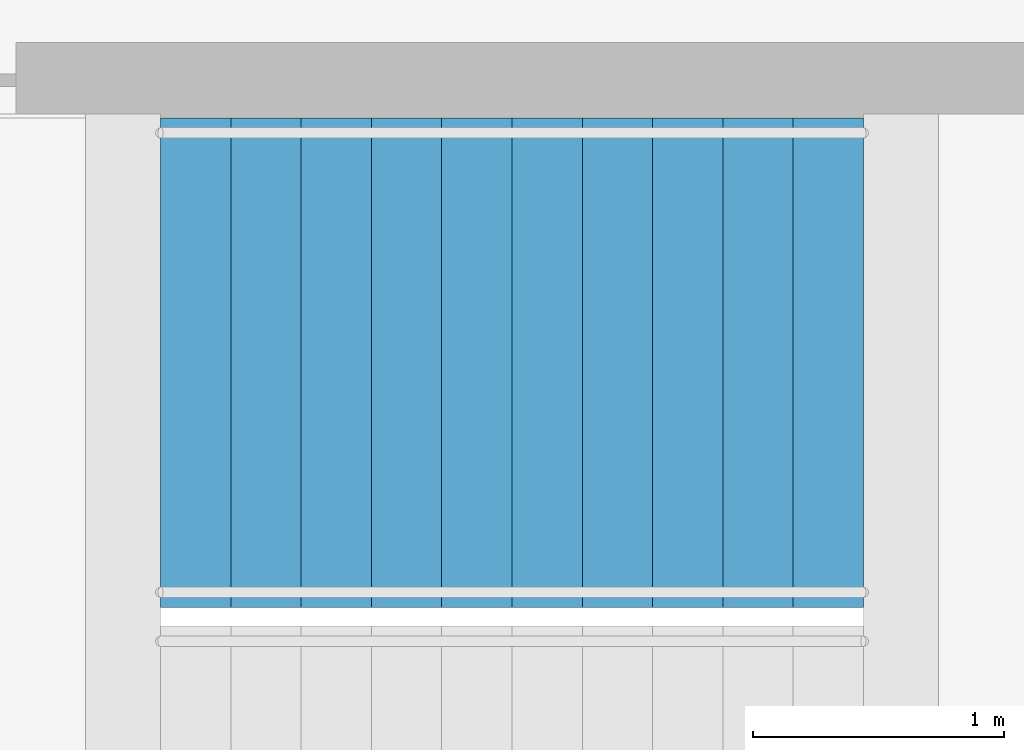
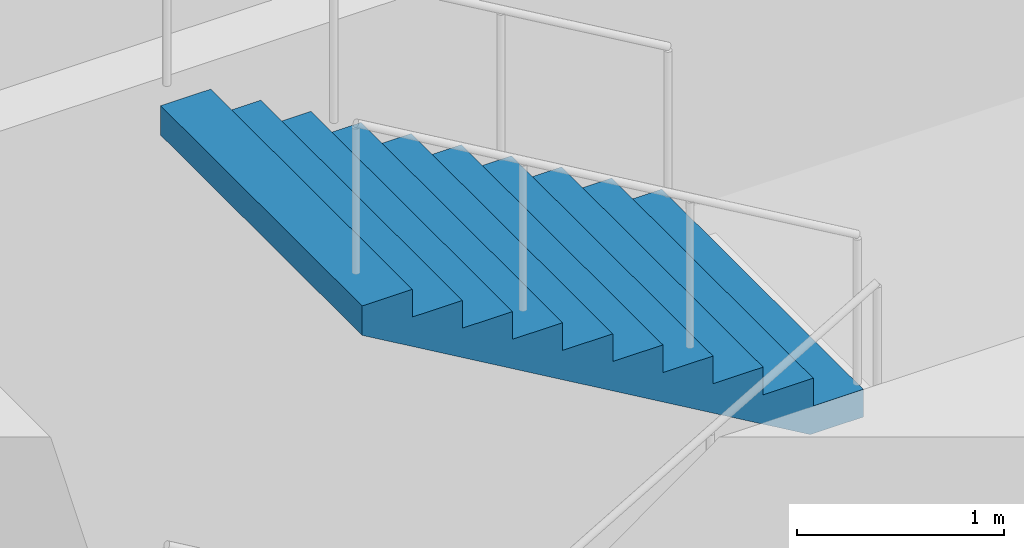
# One storey, part 17 of 22: 1 stair flight, 1 element without a shape of its own.
"""IFC4 building model written with IfcOpenShell, lengths in metres."""

from ifc_helpers import new_model, si_unit, direction, frame, origin, place, context, subcontext, project, spatial, triangles, material, type_object, element, aggregate, save


model = new_model("IFC4")

# Units and contexts
model_context = context("Model", 3, precision=1e-05, world=origin(), true_north=direction((0.0, 1.0)))
body_context = subcontext(model_context, "Body", "Model", "MODEL_VIEW")
ifc_project = project(units=[si_unit("LENGTHUNIT", "METRE"), si_unit("AREAUNIT", "SQUARE_METRE"), si_unit("VOLUMEUNIT", "CUBIC_METRE"), si_unit("PLANEANGLEUNIT", "RADIAN"), si_unit("MASSUNIT", "GRAM", prefix="KILO")], contexts=[model_context])

# Site, building, storey
site_placement = place(None, origin())
site = spatial("IfcSite", under=ifc_project, at=site_placement, CompositionType="ELEMENT")
building_placement = place(site_placement, origin())
building = spatial("IfcBuilding", under=site, at=building_placement, Name="Orbita Commons", CompositionType="ELEMENT")
storey_placement = place(building_placement, frame((0.0, 0.0, 133.14990234375)))
storey = spatial("IfcBuildingStorey", under=building, at=storey_placement, Name="L33", CompositionType="ELEMENT", Elevation=133.14990234375)

# Stair, stair flight
ifc_material_1 = material(Name="Precast concrete C40/50", Category="concrete")
stair_type = type_object("IfcStairType", Name="Exit stair S1 4 flights 11 risers 164", PredefinedType="HALF_TURN_STAIR", material=ifc_material_1)
stair_placement = place(storey_placement, origin())
stair = element("IfcStair", 1, at=stair_placement, inside=storey, type_object=stair_type, Name="Exit stair S1 L33", PredefinedType="HALF_TURN_STAIR")
ifc_material_2 = material(Name="Precast concrete C40/50", Category="concrete")
stair_flight_type = type_object("IfcStairFlightType", Name="Stair flight 11 risers 164 x 280", PredefinedType="STRAIGHT", material=ifc_material_2)
stair_flight_placement = place(storey_placement, frame((23.25, 29.27490234375, 5.400146484375), z_axis=(0.0, 0.0, 1.0), x_axis=(-1.0, 0.0, 0.0)))
stair_flight = element("IfcStairFlight", 2, at=stair_flight_placement, type_object=stair_flight_type, Name="S1 flight 4", NumberOfRisers=11, NumberOfTreads=10, PredefinedType="STRAIGHT", RiserHeight=0.163636364, TreadLength=0.28, context=body_context, shape_type="Tessellation", body=[
    triangles([(0.0, 0.974976, 0.0), (0.0, 0.974976, 0.020455), (0.0, 0.81248, 0.020455), (0.0, 0.81248, 0.0), (0.0, 0.649984, 0.020455), (0.0, 0.649984, 0.0), (0.0, 0.487488, 0.020455), (0.0, 0.487488, 0.0), (0.0, 0.324992, 0.020455), (0.0, 0.324992, 0.0), (0.0, 0.162496, 0.020455), (0.0, 0.162496, 0.0), (0.0, 0.0, 0.020455), (0.0, 0.0, 0.0), (0.0, -0.162496, 0.020455), (0.0, -0.162496, 0.0), (0.0, -0.324992, 0.020455), (0.0, -0.324992, 0.0), (0.0, -0.487488, 0.020455), (0.0, -0.487488, 0.0), (0.0, -0.649984, 0.020455), (0.0, -0.649984, 0.0), (0.0, -0.81248, 0.020455), (0.0, -0.81248, 0.0), (0.0, -0.974976, 0.020455), (0.0, -0.974976, 0.0), (0.0, 0.974976, 0.040909), (0.0, 0.81248, 0.040909), (0.0, 0.649984, 0.040909), (0.0, 0.487488, 0.040909), (0.0, 0.324992, 0.040909), (0.0, 0.162496, 0.040909), (0.0, 0.0, 0.040909), (0.0, -0.162496, 0.040909), (0.0, -0.324992, 0.040909), (0.0, -0.487488, 0.040909), (0.0, -0.649984, 0.040909), (0.0, -0.81248, 0.040909), (0.0, -0.974976, 0.040909), (0.0, 0.974976, 0.061364), (0.0, 0.81248, 0.061364), (0.0, 0.649984, 0.061364), (0.0, 0.487488, 0.061364), (0.0, 0.324992, 0.061364), (0.0, 0.162496, 0.061364), (0.0, 0.0, 0.061364), (0.0, -0.162496, 0.061364), (0.0, -0.324992, 0.061364), (0.0, -0.487488, 0.061364), (0.0, -0.649984, 0.061364), (0.0, -0.81248, 0.061364), (0.0, -0.974976, 0.061364), (0.0, 0.974976, 0.081818), (0.0, 0.81248, 0.081818), (0.0, 0.649984, 0.081818), (0.0, 0.487488, 0.081818), (0.0, 0.324992, 0.081818), (0.0, 0.162496, 0.081818), (0.0, 0.0, 0.081818), (0.0, -0.162496, 0.081818), (0.0, -0.324992, 0.081818), (0.0, -0.487488, 0.081818), (0.0, -0.649984, 0.081818), (0.0, -0.81248, 0.081818), (0.0, -0.974976, 0.081818), (0.0, 0.974976, 0.102273), (0.0, 0.81248, 0.102273), (0.0, 0.649984, 0.102273), (0.0, 0.487488, 0.102273), (0.0, 0.324992, 0.102273), (0.0, 0.162496, 0.102273), (0.0, 0.0, 0.102273), (0.0, -0.162496, 0.102273), (0.0, -0.324992, 0.102273), (0.0, -0.487488, 0.102273), (0.0, -0.649984, 0.102273), (0.0, -0.81248, 0.102273), (0.0, -0.974976, 0.102273), (0.0, 0.974976, 0.122727), (0.0, 0.81248, 0.122727), (0.0, 0.649984, 0.122727), (0.0, 0.487488, 0.122727), (0.0, 0.324992, 0.122727), (0.0, 0.162496, 0.122727), (0.0, 0.0, 0.122727), (0.0, -0.162496, 0.122727), (0.0, -0.324992, 0.122727), (0.0, -0.487488, 0.122727), (0.0, -0.649984, 0.122727), (0.0, -0.81248, 0.122727), (0.0, -0.974976, 0.122727), (0.0, 0.974976, 0.143182), (0.0, 0.81248, 0.143182), (0.0, 0.649984, 0.143182), (0.0, 0.487488, 0.143182), (0.0, 0.324992, 0.143182), (0.0, 0.162496, 0.143182), (0.0, 0.0, 0.143182), (0.0, -0.162496, 0.143182), (0.0, -0.324992, 0.143182), (0.0, -0.487488, 0.143182), (0.0, -0.649984, 0.143182), (0.0, -0.81248, 0.143182), (0.0, -0.974976, 0.143182), (0.0, 0.974976, 0.163636), (0.0, 0.81248, 0.163636), (0.0, 0.649984, 0.163636), (0.0, 0.487488, 0.163636), (0.0, 0.324992, 0.163636), (0.0, 0.162496, 0.163636), (0.0, 0.0, 0.163636), (0.0, -0.162496, 0.163636), (0.0, -0.324992, 0.163636), (0.0, -0.487488, 0.163636), (0.0, -0.649984, 0.163636), (0.0, -0.81248, 0.163636), (0.0, -0.974976, 0.163636), (0.28, 0.974976, 0.163636), (0.28, 0.81248, 0.163636), (0.28, 0.649984, 0.163636), (0.28, 0.487488, 0.163636), (0.28, 0.324992, 0.163636), (0.28, 0.162496, 0.163636), (0.28, 0.0, 0.163636), (0.28, -0.162496, 0.163636), (0.28, -0.324992, 0.163636), (0.28, -0.487488, 0.163636), (0.28, -0.649984, 0.163636), (0.28, -0.81248, 0.163636), (0.28, -0.974976, 0.163636), (0.28, 0.974976, 0.327273), (0.28, 0.81248, 0.327273), (0.28, 0.649984, 0.327273), (0.28, 0.487488, 0.327273), (0.28, 0.324992, 0.327273), (0.28, 0.162496, 0.327273), (0.28, 0.0, 0.327273), (0.28, -0.162496, 0.327273), (0.28, -0.324992, 0.327273), (0.28, -0.487488, 0.327273), (0.28, -0.649984, 0.327273), (0.28, -0.81248, 0.327273), (0.28, -0.974976, 0.327273), (0.56, 0.974976, 0.327273), (0.56, 0.81248, 0.327273), (0.56, 0.649984, 0.327273), (0.56, 0.487488, 0.327273), (0.56, 0.324992, 0.327273), (0.56, 0.162496, 0.327273), (0.56, 0.0, 0.327273), (0.56, -0.162496, 0.327273), (0.56, -0.324992, 0.327273), (0.56, -0.487488, 0.327273), (0.56, -0.649984, 0.327273), (0.56, -0.81248, 0.327273), (0.56, -0.974976, 0.327273), (0.56, 0.974976, 0.490909), (0.56, 0.81248, 0.490909), (0.56, 0.649984, 0.490909), (0.56, 0.487488, 0.490909), (0.56, 0.324992, 0.490909), (0.56, 0.162496, 0.490909), (0.56, 0.0, 0.490909), (0.56, -0.162496, 0.490909), (0.56, -0.324992, 0.490909), (0.56, -0.487488, 0.490909), (0.56, -0.649984, 0.490909), (0.56, -0.81248, 0.490909), (0.56, -0.974976, 0.490909), (0.84, 0.974976, 0.490909), (0.84, 0.81248, 0.490909), (0.84, 0.649984, 0.490909), (0.84, 0.487488, 0.490909), (0.84, 0.324992, 0.490909), (0.84, 0.162496, 0.490909), (0.84, 0.0, 0.490909), (0.84, -0.162496, 0.490909), (0.84, -0.324992, 0.490909), (0.84, -0.487488, 0.490909), (0.84, -0.649984, 0.490909), (0.84, -0.81248, 0.490909), (0.84, -0.974976, 0.490909), (0.84, 0.974976, 0.654545), (0.84, 0.81248, 0.654545), (0.84, 0.649984, 0.654545), (0.84, 0.487488, 0.654545), (0.84, 0.324992, 0.654545), (0.84, 0.162496, 0.654545), (0.84, 0.0, 0.654545), (0.84, -0.162496, 0.654545), (0.84, -0.324992, 0.654545), (0.84, -0.487488, 0.654545), (0.84, -0.649984, 0.654545), (0.84, -0.81248, 0.654545), (0.84, -0.974976, 0.654545), (1.12, 0.974976, 0.654545), (1.12, 0.81248, 0.654545), (1.12, 0.649984, 0.654545), (1.12, 0.487488, 0.654545), (1.12, 0.324992, 0.654545), (1.12, 0.162496, 0.654545), (1.12, 0.0, 0.654545), (1.12, -0.162496, 0.654545), (1.12, -0.324992, 0.654545), (1.12, -0.487488, 0.654545), (1.12, -0.649984, 0.654545), (1.12, -0.81248, 0.654545), (1.12, -0.974976, 0.654545), (1.12, 0.974976, 0.818182), (1.12, 0.81248, 0.818182), (1.12, 0.649984, 0.818182), (1.12, 0.487488, 0.818182), (1.12, 0.324992, 0.818182), (1.12, 0.162496, 0.818182), (1.12, 0.0, 0.818182), (1.12, -0.162496, 0.818182), (1.12, -0.324992, 0.818182), (1.12, -0.487488, 0.818182), (1.12, -0.649984, 0.818182), (1.12, -0.81248, 0.818182), (1.12, -0.974976, 0.818182), (1.4, 0.974976, 0.818182), (1.4, 0.81248, 0.818182), (1.4, 0.649984, 0.818182), (1.4, 0.487488, 0.818182), (1.4, 0.324992, 0.818182), (1.4, 0.162496, 0.818182), (1.4, 0.0, 0.818182), (1.4, -0.162496, 0.818182), (1.4, -0.324992, 0.818182), (1.4, -0.487488, 0.818182), (1.4, -0.649984, 0.818182), (1.4, -0.81248, 0.818182), (1.4, -0.974976, 0.818182), (1.4, 0.974976, 0.981818), (1.4, 0.81248, 0.981818), (1.4, 0.649984, 0.981818), (1.4, 0.487488, 0.981818), (1.4, 0.324992, 0.981818), (1.4, 0.162496, 0.981818), (1.4, 0.0, 0.981818), (1.4, -0.162496, 0.981818), (1.4, -0.324992, 0.981818), (1.4, -0.487488, 0.981818), (1.4, -0.649984, 0.981818), (1.4, -0.81248, 0.981818), (1.4, -0.974976, 0.981818), (1.68, 0.974976, 0.981818), (1.68, 0.81248, 0.981818), (1.68, 0.649984, 0.981818), (1.68, 0.487488, 0.981818), (1.68, 0.324992, 0.981818), (1.68, 0.162496, 0.981818), (1.68, 0.0, 0.981818), (1.68, -0.162496, 0.981818), (1.68, -0.324992, 0.981818), (1.68, -0.487488, 0.981818), (1.68, -0.649984, 0.981818), (1.68, -0.81248, 0.981818), (1.68, -0.974976, 0.981818), (1.68, 0.974976, 1.145455), (1.68, 0.81248, 1.145455), (1.68, 0.649984, 1.145455), (1.68, 0.487488, 1.145455), (1.68, 0.324992, 1.145455), (1.68, 0.162496, 1.145455), (1.68, 0.0, 1.145455), (1.68, -0.162496, 1.145455), (1.68, -0.324992, 1.145455), (1.68, -0.487488, 1.145455), (1.68, -0.649984, 1.145455), (1.68, -0.81248, 1.145455), (1.68, -0.974976, 1.145455), (1.96, 0.974976, 1.145455), (1.96, 0.81248, 1.145455), (1.96, 0.649984, 1.145455), (1.96, 0.487488, 1.145455), (1.96, 0.324992, 1.145455), (1.96, 0.162496, 1.145455), (1.96, 0.0, 1.145455), (1.96, -0.162496, 1.145455), (1.96, -0.324992, 1.145455), (1.96, -0.487488, 1.145455), (1.96, -0.649984, 1.145455), (1.96, -0.81248, 1.145455), (1.96, -0.974976, 1.145455), (1.96, 0.974976, 1.309091), (1.96, 0.81248, 1.309091), (1.96, 0.649984, 1.309091), (1.96, 0.487488, 1.309091), (1.96, 0.324992, 1.309091), (1.96, 0.162496, 1.309091), (1.96, 0.0, 1.309091), (1.96, -0.162496, 1.309091), (1.96, -0.324992, 1.309091), (1.96, -0.487488, 1.309091), (1.96, -0.649984, 1.309091), (1.96, -0.81248, 1.309091), (1.96, -0.974976, 1.309091), (2.24, 0.974976, 1.309091), (2.24, 0.81248, 1.309091), (2.24, 0.649984, 1.309091), (2.24, 0.487488, 1.309091), (2.24, 0.324992, 1.309091), (2.24, 0.162496, 1.309091), (2.24, 0.0, 1.309091), (2.24, -0.162496, 1.309091), (2.24, -0.324992, 1.309091), (2.24, -0.487488, 1.309091), (2.24, -0.649984, 1.309091), (2.24, -0.81248, 1.309091), (2.24, -0.974976, 1.309091), (2.24, 0.974976, 1.472727), (2.24, 0.81248, 1.472727), (2.24, 0.649984, 1.472727), (2.24, 0.487488, 1.472727), (2.24, 0.324992, 1.472727), (2.24, 0.162496, 1.472727), (2.24, 0.0, 1.472727), (2.24, -0.162496, 1.472727), (2.24, -0.324992, 1.472727), (2.24, -0.487488, 1.472727), (2.24, -0.649984, 1.472727), (2.24, -0.81248, 1.472727), (2.24, -0.974976, 1.472727), (2.52, 0.974976, 1.472727), (2.52, 0.81248, 1.472727), (2.52, 0.649984, 1.472727), (2.52, 0.487488, 1.472727), (2.52, 0.324992, 1.472727), (2.52, 0.162496, 1.472727), (2.52, 0.0, 1.472727), (2.52, -0.162496, 1.472727), (2.52, -0.324992, 1.472727), (2.52, -0.487488, 1.472727), (2.52, -0.649984, 1.472727), (2.52, -0.81248, 1.472727), (2.52, -0.974976, 1.472727), (2.52, 0.974976, 1.636364), (2.52, 0.81248, 1.636364), (2.52, 0.649984, 1.636364), (2.52, 0.487488, 1.636364), (2.52, 0.324992, 1.636364), (2.52, 0.162496, 1.636364), (2.52, 0.0, 1.636364), (2.52, -0.162496, 1.636364), (2.52, -0.324992, 1.636364), (2.52, -0.487488, 1.636364), (2.52, -0.649984, 1.636364), (2.52, -0.81248, 1.636364), (2.52, -0.974976, 1.636364), (2.8, 0.974976, 1.636364), (2.8, 0.81248, 1.636364), (2.8, 0.649984, 1.636364), (2.8, 0.487488, 1.636364), (2.8, 0.324992, 1.636364), (2.8, 0.162496, 1.636364), (2.8, 0.0, 1.636364), (2.8, -0.162496, 1.636364), (2.8, -0.324992, 1.636364), (2.8, -0.487488, 1.636364), (2.8, -0.649984, 1.636364), (2.8, -0.81248, 1.636364), (2.8, -0.974976, 1.636364), (2.8, 0.974976, 1.614661), (2.8, 0.81248, 1.614661), (2.8, 0.649984, 1.614661), (2.8, 0.487488, 1.614661), (2.8, 0.324992, 1.614661), (2.8, 0.162496, 1.614661), (2.8, 0.0, 1.614661), (2.8, -0.162496, 1.614661), (2.8, -0.324992, 1.614661), (2.8, -0.487488, 1.614661), (2.8, -0.649984, 1.614661), (2.8, -0.81248, 1.614661), (2.8, -0.974976, 1.614661), (2.8, 0.974976, 1.592958), (2.8, 0.81248, 1.592958), (2.8, 0.649984, 1.592958), (2.8, 0.487488, 1.592958), (2.8, 0.324992, 1.592958), (2.8, 0.162496, 1.592958), (2.8, 0.0, 1.592958), (2.8, -0.162496, 1.592958), (2.8, -0.324992, 1.592958), (2.8, -0.487488, 1.592958), (2.8, -0.649984, 1.592958), (2.8, -0.81248, 1.592958), (2.8, -0.974976, 1.592958), (2.8, 0.974976, 1.571255), (2.8, 0.81248, 1.571255), (2.8, 0.649984, 1.571255), (2.8, 0.487488, 1.571255), (2.8, 0.324992, 1.571255), (2.8, 0.162496, 1.571255), (2.8, 0.0, 1.571255), (2.8, -0.162496, 1.571255), (2.8, -0.324992, 1.571255), (2.8, -0.487488, 1.571255), (2.8, -0.649984, 1.571255), (2.8, -0.81248, 1.571255), (2.8, -0.974976, 1.571255), (2.8, 0.974976, 1.549551), (2.8, 0.81248, 1.549551), (2.8, 0.649984, 1.549551), (2.8, 0.487488, 1.549551), (2.8, 0.324992, 1.549551), (2.8, 0.162496, 1.549551), (2.8, 0.0, 1.549551), (2.8, -0.162496, 1.549551), (2.8, -0.324992, 1.549551), (2.8, -0.487488, 1.549551), (2.8, -0.649984, 1.549551), (2.8, -0.81248, 1.549551), (2.8, -0.974976, 1.549551), (2.8, 0.974976, 1.527848), (2.8, 0.81248, 1.527848), (2.8, 0.649984, 1.527848), (2.8, 0.487488, 1.527848), (2.8, 0.324992, 1.527848), (2.8, 0.162496, 1.527848), (2.8, 0.0, 1.527848), (2.8, -0.162496, 1.527848), (2.8, -0.324992, 1.527848), (2.8, -0.487488, 1.527848), (2.8, -0.649984, 1.527848), (2.8, -0.81248, 1.527848), (2.8, -0.974976, 1.527848), (2.8, 0.974976, 1.506145), (2.8, 0.81248, 1.506145), (2.8, 0.649984, 1.506145), (2.8, 0.487488, 1.506145), (2.8, 0.324992, 1.506145), (2.8, 0.162496, 1.506145), (2.8, 0.0, 1.506145), (2.8, -0.162496, 1.506145), (2.8, -0.324992, 1.506145), (2.8, -0.487488, 1.506145), (2.8, -0.649984, 1.506145), (2.8, -0.81248, 1.506145), (2.8, -0.974976, 1.506145), (2.8, 0.974976, 1.484442), (2.8, 0.81248, 1.484442), (2.8, 0.649984, 1.484442), (2.8, 0.487488, 1.484442), (2.8, 0.324992, 1.484442), (2.8, 0.162496, 1.484442), (2.8, 0.0, 1.484442), (2.8, -0.162496, 1.484442), (2.8, -0.324992, 1.484442), (2.8, -0.487488, 1.484442), (2.8, -0.649984, 1.484442), (2.8, -0.81248, 1.484442), (2.8, -0.974976, 1.484442), (2.8, 0.974976, 1.462739), (2.8, 0.81248, 1.462739), (2.8, 0.649984, 1.462739), (2.8, 0.487488, 1.462739), (2.8, 0.324992, 1.462739), (2.8, 0.162496, 1.462739), (2.8, 0.0, 1.462739), (2.8, -0.162496, 1.462739), (2.8, -0.324992, 1.462739), (2.8, -0.487488, 1.462739), (2.8, -0.649984, 1.462739), (2.8, -0.81248, 1.462739), (2.8, -0.974976, 1.462739), (0.29709, 0.974976, 0.0), (0.29709, 0.81248, 0.0), (0.29709, 0.649984, 0.0), (0.29709, 0.487488, 0.0), (0.29709, 0.324992, 0.0), (0.29709, 0.162496, 0.0), (0.29709, 0.0, 0.0), (0.29709, -0.162496, 0.0), (0.29709, -0.324992, 0.0), (0.29709, -0.487488, 0.0), (0.29709, -0.649984, 0.0), (0.29709, -0.81248, 0.0), (0.29709, -0.974976, 0.0)], [[3, 2, 1], [4, 3, 1], [5, 3, 4], [6, 5, 4], [7, 5, 6], [8, 7, 6], [9, 7, 8], [10, 9, 8], [11, 9, 10], [12, 11, 10], [13, 11, 12], [14, 13, 12], [15, 13, 14], [16, 15, 14], [17, 15, 16], [18, 17, 16], [19, 17, 18], [20, 19, 18], [21, 19, 20], [22, 21, 20], [23, 21, 22], [24, 23, 22], [25, 23, 24], [26, 25, 24], [28, 27, 2], [3, 28, 2], [29, 28, 3], [5, 29, 3], [30, 29, 5], [7, 30, 5], [31, 30, 7], [9, 31, 7], [32, 31, 9], [11, 32, 9], [33, 32, 11], [13, 33, 11], [34, 33, 13], [15, 34, 13], [35, 34, 15], [17, 35, 15], [36, 35, 17], [19, 36, 17], [37, 36, 19], [21, 37, 19], [38, 37, 21], [23, 38, 21], [39, 38, 23], [25, 39, 23], [41, 40, 27], [28, 41, 27], [42, 41, 28], [29, 42, 28], [43, 42, 29], [30, 43, 29], [44, 43, 30], [31, 44, 30], [45, 44, 31], [32, 45, 31], [46, 45, 32], [33, 46, 32], [47, 46, 33], [34, 47, 33], [48, 47, 34], [35, 48, 34], [49, 48, 35], [36, 49, 35], [50, 49, 36], [37, 50, 36], [51, 50, 37], [38, 51, 37], [52, 51, 38], [39, 52, 38], [54, 53, 40], [41, 54, 40], [55, 54, 41], [42, 55, 41], [56, 55, 42], [43, 56, 42], [57, 56, 43], [44, 57, 43], [58, 57, 44], [45, 58, 44], [59, 58, 45], [46, 59, 45], [60, 59, 46], [47, 60, 46], [61, 60, 47], [48, 61, 47], [62, 61, 48], [49, 62, 48], [63, 62, 49], [50, 63, 49], [64, 63, 50], [51, 64, 50], [65, 64, 51], [52, 65, 51], [67, 66, 53], [54, 67, 53], [68, 67, 54], [55, 68, 54], [69, 68, 55], [56, 69, 55], [70, 69, 56], [57, 70, 56], [71, 70, 57], [58, 71, 57], [72, 71, 58], [59, 72, 58], [73, 72, 59], [60, 73, 59], [74, 73, 60], [61, 74, 60], [75, 74, 61], [62, 75, 61], [76, 75, 62], [63, 76, 62], [77, 76, 63], [64, 77, 63], [78, 77, 64], [65, 78, 64], [80, 79, 66], [67, 80, 66], [81, 80, 67], [68, 81, 67], [82, 81, 68], [69, 82, 68], [83, 82, 69], [70, 83, 69], [84, 83, 70], [71, 84, 70], [85, 84, 71], [72, 85, 71], [86, 85, 72], [73, 86, 72], [87, 86, 73], [74, 87, 73], [88, 87, 74], [75, 88, 74], [89, 88, 75], [76, 89, 75], [90, 89, 76], [77, 90, 76], [91, 90, 77], [78, 91, 77], [93, 92, 79], [80, 93, 79], [94, 93, 80], [81, 94, 80], [95, 94, 81], [82, 95, 81], [96, 95, 82], [83, 96, 82], [97, 96, 83], [84, 97, 83], [98, 97, 84], [85, 98, 84], [99, 98, 85], [86, 99, 85], [100, 99, 86], [87, 100, 86], [101, 100, 87], [88, 101, 87], [102, 101, 88], [89, 102, 88], [103, 102, 89], [90, 103, 89], [104, 103, 90], [91, 104, 90], [106, 105, 92], [93, 106, 92], [107, 106, 93], [94, 107, 93], [108, 107, 94], [95, 108, 94], [109, 108, 95], [96, 109, 95], [110, 109, 96], [97, 110, 96], [111, 110, 97], [98, 111, 97], [112, 111, 98], [99, 112, 98], [113, 112, 99], [100, 113, 99], [114, 113, 100], [101, 114, 100], [115, 114, 101], [102, 115, 101], [116, 115, 102], [103, 116, 102], [117, 116, 103], [104, 117, 103], [119, 118, 105], [106, 119, 105], [120, 119, 106], [107, 120, 106], [121, 120, 107], [108, 121, 107], [122, 121, 108], [109, 122, 108], [123, 122, 109], [110, 123, 109], [124, 123, 110], [111, 124, 110], [125, 124, 111], [112, 125, 111], [126, 125, 112], [113, 126, 112], [127, 126, 113], [114, 127, 113], [128, 127, 114], [115, 128, 114], [129, 128, 115], [116, 129, 115], [130, 129, 116], [117, 130, 116], [132, 131, 118], [119, 132, 118], [133, 132, 119], [120, 133, 119], [134, 133, 120], [121, 134, 120], [135, 134, 121], [122, 135, 121], [136, 135, 122], [123, 136, 122], [137, 136, 123], [124, 137, 123], [138, 137, 124], [125, 138, 124], [139, 138, 125], [126, 139, 125], [140, 139, 126], [127, 140, 126], [141, 140, 127], [128, 141, 127], [142, 141, 128], [129, 142, 128], [143, 142, 129], [130, 143, 129], [145, 144, 131], [132, 145, 131], [146, 145, 132], [133, 146, 132], [147, 146, 133], [134, 147, 133], [148, 147, 134], [135, 148, 134], [149, 148, 135], [136, 149, 135], [150, 149, 136], [137, 150, 136], [151, 150, 137], [138, 151, 137], [152, 151, 138], [139, 152, 138], [153, 152, 139], [140, 153, 139], [154, 153, 140], [141, 154, 140], [155, 154, 141], [142, 155, 141], [156, 155, 142], [143, 156, 142], [158, 157, 144], [145, 158, 144], [159, 158, 145], [146, 159, 145], [160, 159, 146], [147, 160, 146], [161, 160, 147], [148, 161, 147], [162, 161, 148], [149, 162, 148], [163, 162, 149], [150, 163, 149], [164, 163, 150], [151, 164, 150], [165, 164, 151], [152, 165, 151], [166, 165, 152], [153, 166, 152], [167, 166, 153], [154, 167, 153], [168, 167, 154], [155, 168, 154], [169, 168, 155], [156, 169, 155], [171, 170, 157], [158, 171, 157], [172, 171, 158], [159, 172, 158], [173, 172, 159], [160, 173, 159], [174, 173, 160], [161, 174, 160], [175, 174, 161], [162, 175, 161], [176, 175, 162], [163, 176, 162], [177, 176, 163], [164, 177, 163], [178, 177, 164], [165, 178, 164], [179, 178, 165], [166, 179, 165], [180, 179, 166], [167, 180, 166], [181, 180, 167], [168, 181, 167], [182, 181, 168], [169, 182, 168], [184, 183, 170], [171, 184, 170], [185, 184, 171], [172, 185, 171], [186, 185, 172], [173, 186, 172], [187, 186, 173], [174, 187, 173], [188, 187, 174], [175, 188, 174], [189, 188, 175], [176, 189, 175], [190, 189, 176], [177, 190, 176], [191, 190, 177], [178, 191, 177], [192, 191, 178], [179, 192, 178], [193, 192, 179], [180, 193, 179], [194, 193, 180], [181, 194, 180], [195, 194, 181], [182, 195, 181], [197, 196, 183], [184, 197, 183], [198, 197, 184], [185, 198, 184], [199, 198, 185], [186, 199, 185], [200, 199, 186], [187, 200, 186], [201, 200, 187], [188, 201, 187], [202, 201, 188], [189, 202, 188], [203, 202, 189], [190, 203, 189], [204, 203, 190], [191, 204, 190], [205, 204, 191], [192, 205, 191], [206, 205, 192], [193, 206, 192], [207, 206, 193], [194, 207, 193], [208, 207, 194], [195, 208, 194], [210, 209, 196], [197, 210, 196], [211, 210, 197], [198, 211, 197], [212, 211, 198], [199, 212, 198], [213, 212, 199], [200, 213, 199], [214, 213, 200], [201, 214, 200], [215, 214, 201], [202, 215, 201], [216, 215, 202], [203, 216, 202], [217, 216, 203], [204, 217, 203], [218, 217, 204], [205, 218, 204], [219, 218, 205], [206, 219, 205], [220, 219, 206], [207, 220, 206], [221, 220, 207], [208, 221, 207], [223, 222, 209], [210, 223, 209], [224, 223, 210], [211, 224, 210], [225, 224, 211], [212, 225, 211], [226, 225, 212], [213, 226, 212], [227, 226, 213], [214, 227, 213], [228, 227, 214], [215, 228, 214], [229, 228, 215], [216, 229, 215], [230, 229, 216], [217, 230, 216], [231, 230, 217], [218, 231, 217], [232, 231, 218], [219, 232, 218], [233, 232, 219], [220, 233, 219], [234, 233, 220], [221, 234, 220], [236, 235, 222], [223, 236, 222], [237, 236, 223], [224, 237, 223], [238, 237, 224], [225, 238, 224], [239, 238, 225], [226, 239, 225], [240, 239, 226], [227, 240, 226], [241, 240, 227], [228, 241, 227], [242, 241, 228], [229, 242, 228], [243, 242, 229], [230, 243, 229], [244, 243, 230], [231, 244, 230], [245, 244, 231], [232, 245, 231], [246, 245, 232], [233, 246, 232], [247, 246, 233], [234, 247, 233], [249, 248, 235], [236, 249, 235], [250, 249, 236], [237, 250, 236], [251, 250, 237], [238, 251, 237], [252, 251, 238], [239, 252, 238], [253, 252, 239], [240, 253, 239], [254, 253, 240], [241, 254, 240], [255, 254, 241], [242, 255, 241], [256, 255, 242], [243, 256, 242], [257, 256, 243], [244, 257, 243], [258, 257, 244], [245, 258, 244], [259, 258, 245], [246, 259, 245], [260, 259, 246], [247, 260, 246], [262, 261, 248], [249, 262, 248], [263, 262, 249], [250, 263, 249], [264, 263, 250], [251, 264, 250], [265, 264, 251], [252, 265, 251], [266, 265, 252], [253, 266, 252], [267, 266, 253], [254, 267, 253], [268, 267, 254], [255, 268, 254], [269, 268, 255], [256, 269, 255], [270, 269, 256], [257, 270, 256], [271, 270, 257], [258, 271, 257], [272, 271, 258], [259, 272, 258], [273, 272, 259], [260, 273, 259], [275, 274, 261], [262, 275, 261], [276, 275, 262], [263, 276, 262], [277, 276, 263], [264, 277, 263], [278, 277, 264], [265, 278, 264], [279, 278, 265], [266, 279, 265], [280, 279, 266], [267, 280, 266], [281, 280, 267], [268, 281, 267], [282, 281, 268], [269, 282, 268], [283, 282, 269], [270, 283, 269], [284, 283, 270], [271, 284, 270], [285, 284, 271], [272, 285, 271], [286, 285, 272], [273, 286, 272], [288, 287, 274], [275, 288, 274], [289, 288, 275], [276, 289, 275], [290, 289, 276], [277, 290, 276], [291, 290, 277], [278, 291, 277], [292, 291, 278], [279, 292, 278], [293, 292, 279], [280, 293, 279], [294, 293, 280], [281, 294, 280], [295, 294, 281], [282, 295, 281], [296, 295, 282], [283, 296, 282], [297, 296, 283], [284, 297, 283], [298, 297, 284], [285, 298, 284], [299, 298, 285], [286, 299, 285], [301, 300, 287], [288, 301, 287], [302, 301, 288], [289, 302, 288], [303, 302, 289], [290, 303, 289], [304, 303, 290], [291, 304, 290], [305, 304, 291], [292, 305, 291], [306, 305, 292], [293, 306, 292], [307, 306, 293], [294, 307, 293], [308, 307, 294], [295, 308, 294], [309, 308, 295], [296, 309, 295], [310, 309, 296], [297, 310, 296], [311, 310, 297], [298, 311, 297], [312, 311, 298], [299, 312, 298], [314, 313, 300], [301, 314, 300], [315, 314, 301], [302, 315, 301], [316, 315, 302], [303, 316, 302], [317, 316, 303], [304, 317, 303], [318, 317, 304], [305, 318, 304], [319, 318, 305], [306, 319, 305], [320, 319, 306], [307, 320, 306], [321, 320, 307], [308, 321, 307], [322, 321, 308], [309, 322, 308], [323, 322, 309], [310, 323, 309], [324, 323, 310], [311, 324, 310], [325, 324, 311], [312, 325, 311], [327, 326, 313], [314, 327, 313], [328, 327, 314], [315, 328, 314], [329, 328, 315], [316, 329, 315], [330, 329, 316], [317, 330, 316], [331, 330, 317], [318, 331, 317], [332, 331, 318], [319, 332, 318], [333, 332, 319], [320, 333, 319], [334, 333, 320], [321, 334, 320], [335, 334, 321], [322, 335, 321], [336, 335, 322], [323, 336, 322], [337, 336, 323], [324, 337, 323], [338, 337, 324], [325, 338, 324], [340, 339, 326], [327, 340, 326], [341, 340, 327], [328, 341, 327], [342, 341, 328], [329, 342, 328], [343, 342, 329], [330, 343, 329], [344, 343, 330], [331, 344, 330], [345, 344, 331], [332, 345, 331], [346, 345, 332], [333, 346, 332], [347, 346, 333], [334, 347, 333], [348, 347, 334], [335, 348, 334], [349, 348, 335], [336, 349, 335], [350, 349, 336], [337, 350, 336], [351, 350, 337], [338, 351, 337], [353, 352, 339], [340, 353, 339], [354, 353, 340], [341, 354, 340], [355, 354, 341], [342, 355, 341], [356, 355, 342], [343, 356, 342], [357, 356, 343], [344, 357, 343], [358, 357, 344], [345, 358, 344], [359, 358, 345], [346, 359, 345], [360, 359, 346], [347, 360, 346], [361, 360, 347], [348, 361, 347], [362, 361, 348], [349, 362, 348], [363, 362, 349], [350, 363, 349], [364, 363, 350], [351, 364, 350], [366, 365, 352], [353, 366, 352], [367, 366, 353], [354, 367, 353], [368, 367, 354], [355, 368, 354], [369, 368, 355], [356, 369, 355], [370, 369, 356], [357, 370, 356], [371, 370, 357], [358, 371, 357], [372, 371, 358], [359, 372, 358], [373, 372, 359], [360, 373, 359], [374, 373, 360], [361, 374, 360], [375, 374, 361], [362, 375, 361], [376, 375, 362], [363, 376, 362], [377, 376, 363], [364, 377, 363], [379, 378, 365], [366, 379, 365], [380, 379, 366], [367, 380, 366], [381, 380, 367], [368, 381, 367], [382, 381, 368], [369, 382, 368], [383, 382, 369], [370, 383, 369], [384, 383, 370], [371, 384, 370], [385, 384, 371], [372, 385, 371], [386, 385, 372], [373, 386, 372], [387, 386, 373], [374, 387, 373], [388, 387, 374], [375, 388, 374], [389, 388, 375], [376, 389, 375], [390, 389, 376], [377, 390, 376], [392, 391, 378], [379, 392, 378], [393, 392, 379], [380, 393, 379], [394, 393, 380], [381, 394, 380], [395, 394, 381], [382, 395, 381], [396, 395, 382], [383, 396, 382], [397, 396, 383], [384, 397, 383], [398, 397, 384], [385, 398, 384], [399, 398, 385], [386, 399, 385], [400, 399, 386], [387, 400, 386], [401, 400, 387], [388, 401, 387], [402, 401, 388], [389, 402, 388], [403, 402, 389], [390, 403, 389], [405, 404, 391], [392, 405, 391], [406, 405, 392], [393, 406, 392], [407, 406, 393], [394, 407, 393], [408, 407, 394], [395, 408, 394], [409, 408, 395], [396, 409, 395], [410, 409, 396], [397, 410, 396], [411, 410, 397], [398, 411, 397], [412, 411, 398], [399, 412, 398], [413, 412, 399], [400, 413, 399], [414, 413, 400], [401, 414, 400], [415, 414, 401], [402, 415, 401], [416, 415, 402], [403, 416, 402], [418, 417, 404], [405, 418, 404], [419, 418, 405], [406, 419, 405], [420, 419, 406], [407, 420, 406], [421, 420, 407], [408, 421, 407], [422, 421, 408], [409, 422, 408], [423, 422, 409], [410, 423, 409], [424, 423, 410], [411, 424, 410], [425, 424, 411], [412, 425, 411], [426, 425, 412], [413, 426, 412], [427, 426, 413], [414, 427, 413], [428, 427, 414], [415, 428, 414], [429, 428, 415], [416, 429, 415], [431, 430, 417], [418, 431, 417], [432, 431, 418], [419, 432, 418], [433, 432, 419], [420, 433, 419], [434, 433, 420], [421, 434, 420], [435, 434, 421], [422, 435, 421], [436, 435, 422], [423, 436, 422], [437, 436, 423], [424, 437, 423], [438, 437, 424], [425, 438, 424], [439, 438, 425], [426, 439, 425], [440, 439, 426], [427, 440, 426], [441, 440, 427], [428, 441, 427], [442, 441, 428], [429, 442, 428], [444, 443, 430], [431, 444, 430], [445, 444, 431], [432, 445, 431], [446, 445, 432], [433, 446, 432], [447, 446, 433], [434, 447, 433], [448, 447, 434], [435, 448, 434], [449, 448, 435], [436, 449, 435], [450, 449, 436], [437, 450, 436], [451, 450, 437], [438, 451, 437], [452, 451, 438], [439, 452, 438], [453, 452, 439], [440, 453, 439], [454, 453, 440], [441, 454, 440], [455, 454, 441], [442, 455, 441], [457, 456, 443], [444, 457, 443], [458, 457, 444], [445, 458, 444], [459, 458, 445], [446, 459, 445], [460, 459, 446], [447, 460, 446], [461, 460, 447], [448, 461, 447], [462, 461, 448], [449, 462, 448], [463, 462, 449], [450, 463, 449], [464, 463, 450], [451, 464, 450], [465, 464, 451], [452, 465, 451], [466, 465, 452], [453, 466, 452], [467, 466, 453], [454, 467, 453], [468, 467, 454], [455, 468, 454], [470, 469, 456], [457, 470, 456], [471, 470, 457], [458, 471, 457], [472, 471, 458], [459, 472, 458], [473, 472, 459], [460, 473, 459], [474, 473, 460], [461, 474, 460], [475, 474, 461], [462, 475, 461], [476, 475, 462], [463, 476, 462], [477, 476, 463], [464, 477, 463], [478, 477, 464], [465, 478, 464], [479, 478, 465], [466, 479, 465], [480, 479, 466], [467, 480, 466], [481, 480, 467], [468, 481, 467], [4, 1, 469], [470, 4, 469], [6, 4, 470], [471, 6, 470], [8, 6, 471], [472, 8, 471], [10, 8, 472], [473, 10, 472], [12, 10, 473], [474, 12, 473], [14, 12, 474], [475, 14, 474], [16, 14, 475], [476, 16, 475], [18, 16, 476], [477, 18, 476], [20, 18, 477], [478, 20, 477], [22, 20, 478], [479, 22, 478], [24, 22, 479], [480, 24, 479], [26, 24, 480], [481, 26, 480], [456, 469, 1], [26, 481, 468], [443, 456, 1], [26, 468, 455], [430, 443, 1], [26, 455, 442], [417, 430, 1], [26, 442, 429], [404, 417, 1], [26, 429, 416], [391, 404, 1], [26, 416, 403], [378, 391, 1], [26, 403, 390], [365, 378, 1], [26, 390, 377], [339, 352, 365], [377, 364, 351], [326, 339, 365], [377, 351, 338], [300, 313, 326], [338, 325, 312], [300, 326, 365], [377, 338, 312], [274, 287, 300], [312, 299, 286], [274, 300, 365], [377, 312, 286], [248, 261, 274], [286, 273, 260], [248, 274, 365], [377, 286, 260], [222, 235, 248], [260, 247, 234], [222, 248, 365], [377, 260, 234], [196, 209, 222], [234, 221, 208], [196, 222, 365], [377, 234, 208], [170, 183, 196], [208, 195, 182], [170, 196, 365], [377, 208, 182], [144, 157, 170], [182, 169, 156], [144, 170, 365], [377, 182, 156], [118, 131, 144], [156, 143, 130], [118, 144, 365], [377, 156, 130], [118, 365, 1], [26, 377, 130], [92, 105, 118], [130, 117, 104], [79, 92, 118], [130, 104, 91], [66, 79, 118], [130, 91, 78], [53, 66, 118], [130, 78, 65], [40, 53, 118], [130, 65, 52], [27, 40, 118], [130, 52, 39], [2, 27, 118], [130, 39, 25], [1, 2, 118], [130, 25, 26]], closed=True),
])
aggregate(stair, [stair_flight])

save(model, "model.ifc")
